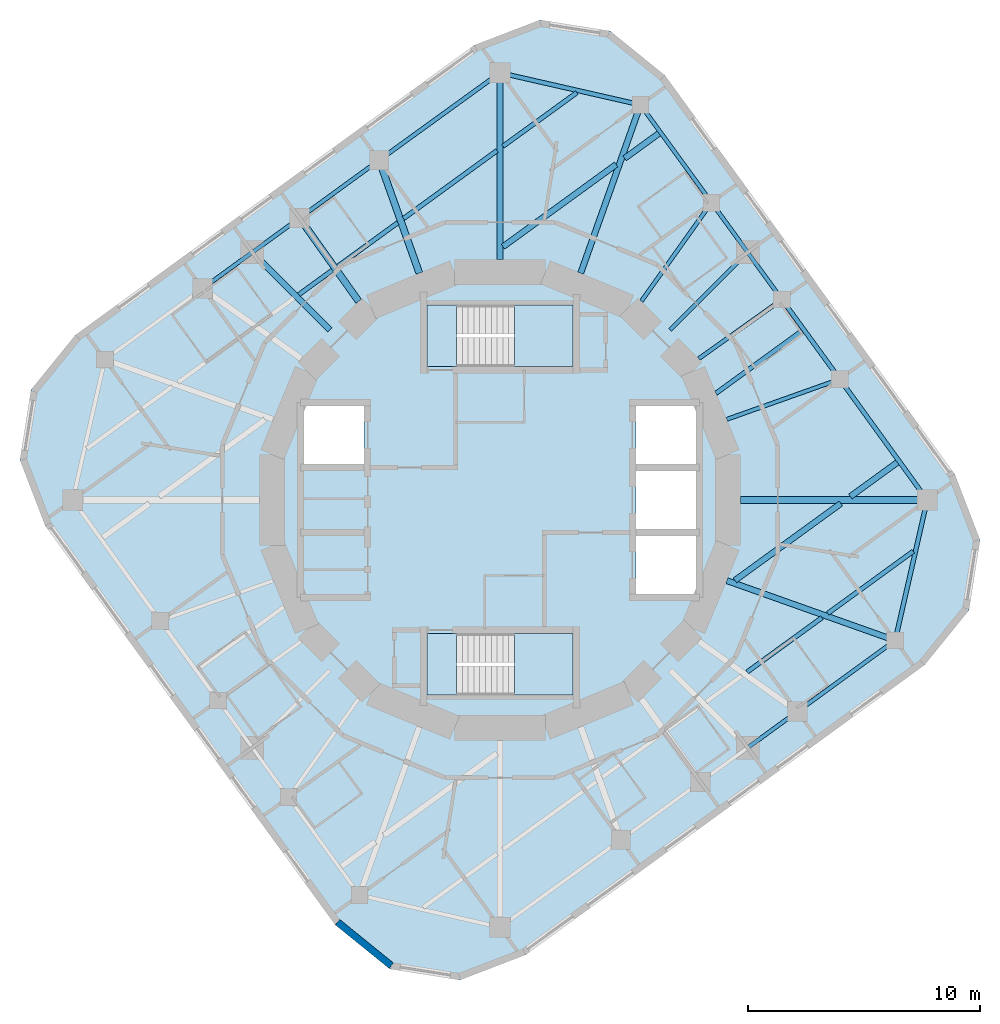
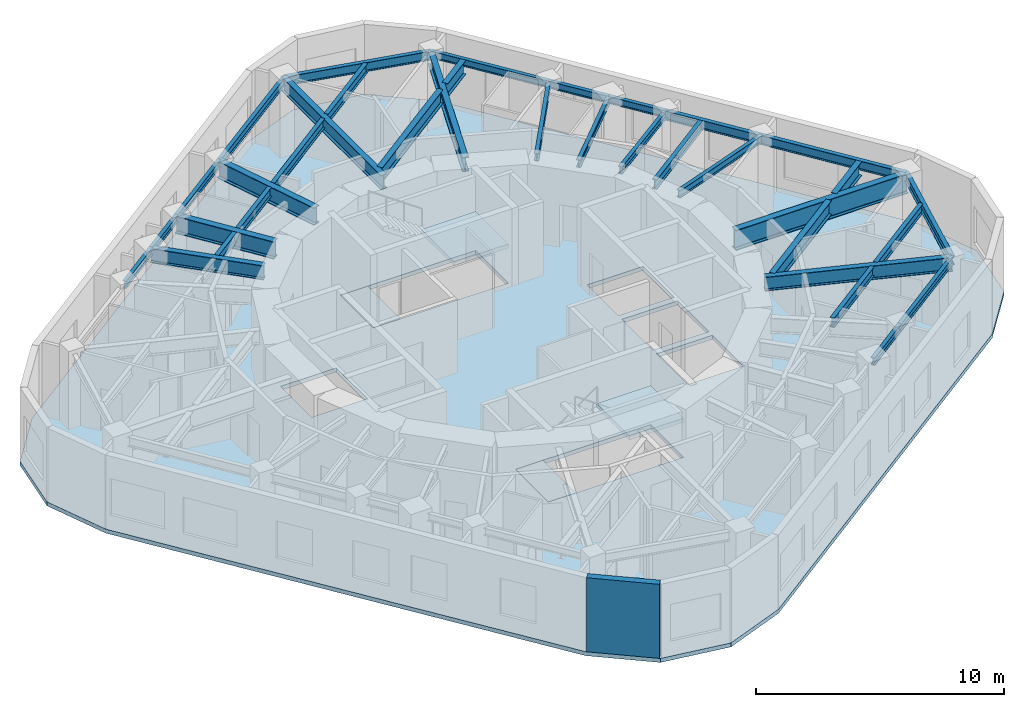
# One storey, part 2 of 9: 35 beams, 5 slabs, 1 wall, 2 elements without a shape of their own.
"""IFC4 building model written with IfcOpenShell, lengths in metres."""

from ifc_helpers import new_model, si_unit, direction, frame, frame_2d, origin, origin_2d, place, context, subcontext, project, spatial, polyline, rectangle, i_section, outline, extrude, material, layer, layer_set, material_profile, profile_set, type_object, element, aggregate, save


model = new_model("IFC4")

# Units and contexts
model_context = context("Model", 3, precision=1e-05, world=origin(), true_north=direction((0.0, 1.0)))
body_context = subcontext(model_context, "Body", "Model", "MODEL_VIEW")
ifc_project = project(units=[si_unit("LENGTHUNIT", "METRE"), si_unit("AREAUNIT", "SQUARE_METRE"), si_unit("VOLUMEUNIT", "CUBIC_METRE"), si_unit("PLANEANGLEUNIT", "RADIAN"), si_unit("MASSUNIT", "GRAM", prefix="KILO")], contexts=[model_context])

# Site, building, storey
site_placement = place(None, origin())
site = spatial("IfcSite", under=ifc_project, at=site_placement, CompositionType="ELEMENT")
building_placement = place(site_placement, origin())
building = spatial("IfcBuilding", under=site, at=building_placement, Name="Nakasero Lantern House", CompositionType="ELEMENT")
storey_placement = place(building_placement, frame((0.0, 0.0, 271.449951171875)))
storey = spatial("IfcBuildingStorey", under=building, at=storey_placement, Name="L66", CompositionType="ELEMENT", Elevation=271.449951171875)

# Beams
ifc_material_1 = material(Name="Steel S355", Category="steel")
ifc_material_profile_1 = material_profile(ifc_material_1, i_section(OverallWidth=0.19140625, OverallDepth=0.4599609375, WebThickness=0.010009765625, FlangeThickness=0.01611328125, FilletRadius=0.01025390625, at=origin_2d()), Name="UB 457x191x82")
ifc_profile_set_1 = profile_set([ifc_material_profile_1], Name="Steel S355")
beam_type_1 = type_object("IfcBeamType", Name="Infill beam UB 457x191x82", PredefinedType="JOIST", material=ifc_profile_set_1)
beam_1_placement = place(storey_placement, frame((10.646240234375, -7.406982421875, 3.420166015625), z_axis=(0.809006350712, 0.587799901759, 0.0), x_axis=(-0.587799901759, 0.809006350712, 0.0)))
element("IfcBeam", 1, at=beam_1_placement, inside=storey, type_object=beam_type_1, Name="Infill beam L67 03.6", PredefinedType="JOIST", context=body_context, shape_type="SweptSolid", body=[
    extrude(i_section(OverallWidth=0.19140625, OverallDepth=0.4599609375, WebThickness=0.010009765625, FlangeThickness=0.01611328125, FilletRadius=0.01025390625, at=origin_2d()), origin(), (0.0, 0.0, 1.0), 3.983154296875),
])
beam_2_placement = place(storey_placement, frame((14.117431640625, -4.885009765625, 3.420166015625), z_axis=(0.80901210161, 0.587791986546, 0.0), x_axis=(-0.587791986546, 0.80901210161, 0.0)))
element("IfcBeam", 2, at=beam_2_placement, inside=storey, type_object=beam_type_1, Name="Infill beam L67 03.7", PredefinedType="JOIST", context=body_context, shape_type="SweptSolid", body=[
    extrude(i_section(OverallWidth=0.19140625, OverallDepth=0.4599609375, WebThickness=0.010009765625, FlangeThickness=0.01611328125, FilletRadius=0.01025390625, at=origin_2d()), origin(), (0.0, 0.0, 1.0), 4.55029296875),
])
beam_3_placement = place(storey_placement, frame((9.306396484375, 4.598388671875, 3.420166015625), z_axis=(0.809017640959, 0.587784362344, 0.0), x_axis=(-0.587784362344, 0.809017640959, 0.0)))
element("IfcBeam", 3, at=beam_3_placement, inside=storey, type_object=beam_type_1, Name="Infill beam L67 06.1", PredefinedType="JOIST", context=body_context, shape_type="SweptSolid", body=[
    extrude(i_section(OverallWidth=0.19140625, OverallDepth=0.4599609375, WebThickness=0.010009765625, FlangeThickness=0.01611328125, FilletRadius=0.01025390625, at=origin_2d()), origin(), (0.0, 0.0, 1.0), 4.572998046875),
])
beam_4_placement = place(storey_placement, frame((-8.665283203125, 8.84619140625, 3.420166015625), z_axis=(0.809060510352, 0.587725353025, 0.0), x_axis=(-0.587725353025, 0.809060510352, 0.0)))
element("IfcBeam", 4, at=beam_4_placement, inside=storey, type_object=beam_type_1, Name="Infill beam L67 10.4", PredefinedType="JOIST", context=body_context, shape_type="SweptSolid", body=[
    extrude(i_section(OverallWidth=0.19140625, OverallDepth=0.4599609375, WebThickness=0.010009765625, FlangeThickness=0.01611328125, FilletRadius=0.01025390625, at=origin_2d()), origin(), (0.0, 0.0, 1.0), 1.7890625),
])
beam_5_placement = place(storey_placement, frame((-6.981201171875, 10.069580078125, 3.420166015625), z_axis=(0.809014147131, 0.587789171167, 0.0), x_axis=(-0.587789171167, 0.809014147131, 0.0)))
element("IfcBeam", 5, at=beam_5_placement, inside=storey, type_object=beam_type_1, Name="Infill beam L67 10.5", PredefinedType="JOIST", context=body_context, shape_type="SweptSolid", body=[
    extrude(i_section(OverallWidth=0.19140625, OverallDepth=0.4599609375, WebThickness=0.010009765625, FlangeThickness=0.01611328125, FilletRadius=0.01025390625, at=origin_2d()), origin(), (0.0, 0.0, 1.0), 3.188232421875),
])
beam_6_placement = place(storey_placement, frame((-4.1552734375, 12.122802734375, 3.420166015625), z_axis=(0.809018056479, 0.587783790428, 0.0), x_axis=(-0.587783790428, 0.809018056479, 0.0)))
element("IfcBeam", 6, at=beam_6_placement, inside=storey, type_object=beam_type_1, Name="Infill beam L67 10.6", PredefinedType="JOIST", context=body_context, shape_type="SweptSolid", body=[
    extrude(i_section(OverallWidth=0.19140625, OverallDepth=0.4599609375, WebThickness=0.010009765625, FlangeThickness=0.01611328125, FilletRadius=0.01025390625, at=origin_2d()), origin(), (0.0, 0.0, 1.0), 4.97802734375),
])
beam_7_placement = place(storey_placement, frame((0.1279296875, 15.23486328125, 3.420166015625), z_axis=(0.809028442836, 0.587769494515, 0.0), x_axis=(-0.587769494515, 0.809028442836, 0.0)))
element("IfcBeam", 7, at=beam_7_placement, inside=storey, type_object=beam_type_1, Name="Infill beam L67 10.7", PredefinedType="JOIST", context=body_context, shape_type="SweptSolid", body=[
    extrude(i_section(OverallWidth=0.19140625, OverallDepth=0.4599609375, WebThickness=0.010009765625, FlangeThickness=0.01611328125, FilletRadius=0.01025390625, at=origin_2d()), origin(), (0.0, 0.0, 1.0), 3.934814453125),
])
ifc_material_2 = material(Name="Steel S355", Category="steel")
ifc_material_profile_2 = material_profile(ifc_material_2, i_section(OverallWidth=0.255859375, OverallDepth=0.69287109375, WebThickness=0.014404296875, FlangeThickness=0.023681640625, FilletRadius=0.01513671875, at=origin_2d()), Name="UB 686x254x170")
ifc_profile_set_2 = profile_set([ifc_material_profile_2], Name="Steel S355")
beam_type_2 = type_object("IfcBeamType", Name="Infill beam UB 686x254x170", PredefinedType="JOIST", material=ifc_profile_set_2)
beam_8_placement = place(storey_placement, frame((10.119384765625, -3.46337890625, 3.3037109375), z_axis=(0.809013172462, 0.587790512669, 0.0), x_axis=(-0.587790512669, 0.809013172462, 0.0)))
element("IfcBeam", 8, at=beam_8_placement, inside=storey, type_object=beam_type_2, Name="Infill beam L67 04.3", PredefinedType="JOIST", context=body_context, shape_type="SweptSolid", body=[
    extrude(i_section(OverallWidth=0.255859375, OverallDepth=0.69287109375, WebThickness=0.014404296875, FlangeThickness=0.023681640625, FilletRadius=0.01513671875, at=origin_2d()), origin(), (0.0, 0.0, 1.0), 5.63720703125),
])
beam_9_placement = place(storey_placement, frame((15.0927734375, 0.14990234375, 3.3037109375), z_axis=(0.809015124384, 0.587787826106, 0.0), x_axis=(-0.587787826106, 0.809015124384, 0.0)))
element("IfcBeam", 9, at=beam_9_placement, inside=storey, type_object=beam_type_2, Name="Infill beam L67 04.4", PredefinedType="JOIST", context=body_context, shape_type="SweptSolid", body=[
    extrude(i_section(OverallWidth=0.255859375, OverallDepth=0.69287109375, WebThickness=0.014404296875, FlangeThickness=0.023681640625, FilletRadius=0.01513671875, at=origin_2d()), origin(), (0.0, 0.0, 1.0), 2.496337890625),
])
beam_10_placement = place(storey_placement, frame((0.1279296875, 10.908447265625, 3.3037109375), z_axis=(0.809011117524, 0.587793340998, 0.0), x_axis=(-0.587793340998, 0.809011117524, 0.0)))
element("IfcBeam", 10, at=beam_10_placement, inside=storey, type_object=beam_type_2, Name="Infill beam L67 09.3", PredefinedType="JOIST", context=body_context, shape_type="SweptSolid", body=[
    extrude(i_section(OverallWidth=0.255859375, OverallDepth=0.69287109375, WebThickness=0.014404296875, FlangeThickness=0.023681640625, FilletRadius=0.01513671875, at=origin_2d()), origin(), (0.0, 0.0, 1.0), 6.024658203125),
])
beam_11_placement = place(storey_placement, frame((5.367919921875, 14.715576171875, 3.3037109375), z_axis=(0.809025740158, 0.587773214566, 0.0), x_axis=(-0.587773214566, 0.809025740158, 0.0)))
element("IfcBeam", 11, at=beam_11_placement, inside=storey, type_object=beam_type_2, Name="Infill beam L67 09.4", PredefinedType="JOIST", context=body_context, shape_type="SweptSolid", body=[
    extrude(i_section(OverallWidth=0.255859375, OverallDepth=0.69287109375, WebThickness=0.014404296875, FlangeThickness=0.023681640625, FilletRadius=0.01513671875, at=origin_2d()), origin(), (0.0, 0.0, 1.0), 1.82177734375),
])
ifc_material_3 = material(Name="Steel S355", Category="steel")
ifc_material_profile_3 = material_profile(ifc_material_3, i_section(OverallWidth=0.300048828125, OverallDepth=0.97998046875, WebThickness=0.0166015625, FlangeThickness=0.02587890625, FilletRadius=0.030029296875, at=origin_2d()), Name="UB 1016x305x249")
ifc_profile_set_3 = profile_set([ifc_material_profile_3], Name="Steel S355")
beam_type_3 = type_object("IfcBeamType", Name="Primary beam UB 1016x305x249, span 6 to 9 m", PredefinedType="BEAM", material=ifc_profile_set_3)
beam_12_placement = place(storey_placement, frame((18.39990234375, 0.0, 3.159912109375), z_axis=(-1.0, 0.0, 0.0), x_axis=(0.0, -1.0, 0.0)))
element("IfcBeam", 12, at=beam_12_placement, inside=storey, type_object=beam_type_3, Name="Primary beam L67 B7-C03", PredefinedType="BEAM", context=body_context, shape_type="SweptSolid", body=[
    extrude(i_section(OverallWidth=0.300048828125, OverallDepth=0.97998046875, WebThickness=0.0166015625, FlangeThickness=0.02587890625, FilletRadius=0.030029296875, at=origin_2d()), origin(), (0.0, 0.0, 1.0), 8.0419921875),
])
ifc_material_4 = material(Name="Steel S355", Category="steel")
ifc_material_profile_4 = material_profile(ifc_material_4, i_section(OverallWidth=0.17138671875, OverallDepth=0.35498046875, WebThickness=0.00732421875, FlangeThickness=0.011474609375, FilletRadius=0.01025390625, at=origin_2d()), Name="UB 356x171x51")
ifc_profile_set_4 = profile_set([ifc_material_profile_4], Name="Steel S355")
beam_type_4 = type_object("IfcBeamType", Name="Primary beam UB 356x171x51, span to 6 m", PredefinedType="BEAM", material=ifc_profile_set_4)
beam_13_placement = place(storey_placement, frame((14.636474609375, 5.2041015625, 3.47265625), z_axis=(-0.942221324153, -0.3349910093, 0.0), x_axis=(0.3349910093, -0.942221324153, 0.0)))
element("IfcBeam", 13, at=beam_13_placement, inside=storey, type_object=beam_type_4, Name="Primary beam L67 B7-C04", PredefinedType="BEAM", context=body_context, shape_type="SweptSolid", body=[
    extrude(i_section(OverallWidth=0.17138671875, OverallDepth=0.35498046875, WebThickness=0.00732421875, FlangeThickness=0.011474609375, FilletRadius=0.01025390625, at=origin_2d()), origin(), (0.0, 0.0, 1.0), 5.162841796875),
])
beam_14_placement = place(storey_placement, frame((12.1435546875, 8.63525390625, 3.47265625), z_axis=(-0.814988544116, -0.579477068537, 0.0), x_axis=(0.579477068537, -0.814988544116, 0.0)))
element("IfcBeam", 14, at=beam_14_placement, inside=storey, type_object=beam_type_4, Name="Primary beam L67 B7-C05", PredefinedType="BEAM", context=body_context, shape_type="SweptSolid", body=[
    extrude(i_section(OverallWidth=0.17138671875, OverallDepth=0.35498046875, WebThickness=0.00732421875, FlangeThickness=0.011474609375, FilletRadius=0.01025390625, at=origin_2d()), origin(), (0.0, 0.0, 1.0), 4.396484375),
])
beam_15_placement = place(storey_placement, frame((10.667236328125, 10.667236328125, 3.47265625), z_axis=(-0.707106781187, -0.707106781187, 0.0), x_axis=(0.707106781187, -0.707106781187, 0.0)))
element("IfcBeam", 15, at=beam_15_placement, inside=storey, type_object=beam_type_4, Name="Primary beam L67 B7-C06", PredefinedType="BEAM", context=body_context, shape_type="SweptSolid", body=[
    extrude(i_section(OverallWidth=0.17138671875, OverallDepth=0.35498046875, WebThickness=0.00732421875, FlangeThickness=0.011474609375, FilletRadius=0.01025390625, at=origin_2d()), origin(), (0.0, 0.0, 1.0), 4.727783203125),
])
beam_16_placement = place(storey_placement, frame((9.10986328125, 12.810791015625, 3.47265625), z_axis=(-0.579500985986, -0.814971537688, 0.0), x_axis=(0.814971537688, -0.579500985986, 0.0)))
element("IfcBeam", 16, at=beam_16_placement, inside=storey, type_object=beam_type_4, Name="Primary beam L67 B7-C07", PredefinedType="BEAM", context=body_context, shape_type="SweptSolid", body=[
    extrude(i_section(OverallWidth=0.17138671875, OverallDepth=0.35498046875, WebThickness=0.00732421875, FlangeThickness=0.011474609375, FilletRadius=0.01025390625, at=origin_2d()), origin(), (0.0, 0.0, 1.0), 5.215087890625),
])
ifc_material_5 = material(Name="Steel S355", Category="steel")
ifc_material_profile_5 = material_profile(ifc_material_5, i_section(OverallWidth=0.253662109375, OverallDepth=0.68359375, WebThickness=0.012451171875, FlangeThickness=0.01904296875, FilletRadius=0.01513671875, at=origin_2d()), Name="UB 686x254x140")
ifc_profile_set_5 = profile_set([ifc_material_profile_5], Name="Steel S355")
beam_type_5 = type_object("IfcBeamType", Name="Primary beam UB 686x254x140, span 6 to 9 m", PredefinedType="BEAM", material=ifc_profile_set_5)
beam_17_placement = place(storey_placement, frame((17.02001953125, -6.051513671875, 3.308349609375), z_axis=(-0.942222036561, 0.334989005521, 0.0), x_axis=(-0.334989005521, -0.942222036561, 0.0)))
element("IfcBeam", 17, at=beam_17_placement, inside=storey, type_object=beam_type_5, Name="Primary beam L67 B7-C02", PredefinedType="BEAM", context=body_context, shape_type="SweptSolid", body=[
    extrude(i_section(OverallWidth=0.253662109375, OverallDepth=0.68359375, WebThickness=0.012451171875, FlangeThickness=0.01904296875, FilletRadius=0.01513671875, at=origin_2d()), origin(), (0.0, 0.0, 1.0), 7.6923828125),
])
ifc_material_6 = material(Name="Steel S355", Category="steel")
ifc_material_profile_6 = material_profile(ifc_material_6, i_section(OverallWidth=0.255859375, OverallDepth=0.69287109375, WebThickness=0.014404296875, FlangeThickness=0.023681640625, FilletRadius=0.01513671875, at=origin_2d()), Name="UB 686x254x170")
ifc_profile_set_6 = profile_set([ifc_material_profile_6], Name="Steel S355")
beam_type_6 = type_object("IfcBeamType", Name="Primary beam UB 686x254x170, span 6 to 9 m", PredefinedType="BEAM", material=ifc_profile_set_6)
beam_18_placement = place(storey_placement, frame((6.051513671875, 17.02001953125, 3.3037109375), z_axis=(-0.334989005521, -0.942222036561, 0.0), x_axis=(0.942222036561, -0.334989005521, 0.0)))
element("IfcBeam", 18, at=beam_18_placement, inside=storey, type_object=beam_type_6, Name="Primary beam L67 B7-C08", PredefinedType="BEAM", context=body_context, shape_type="SweptSolid", body=[
    extrude(i_section(OverallWidth=0.255859375, OverallDepth=0.69287109375, WebThickness=0.014404296875, FlangeThickness=0.023681640625, FilletRadius=0.01513671875, at=origin_2d()), origin(), (0.0, 0.0, 1.0), 7.6923828125),
])
beam_19_placement = place(storey_placement, frame((0.0, 18.39990234375, 3.3037109375), z_axis=(0.0, -1.0, 0.0), x_axis=(1.0, 0.0, 0.0)))
element("IfcBeam", 19, at=beam_19_placement, inside=storey, type_object=beam_type_6, Name="Primary beam L67 B7-C09", PredefinedType="BEAM", context=body_context, shape_type="SweptSolid", body=[
    extrude(i_section(OverallWidth=0.255859375, OverallDepth=0.69287109375, WebThickness=0.014404296875, FlangeThickness=0.023681640625, FilletRadius=0.01513671875, at=origin_2d()), origin(), (0.0, 0.0, 1.0), 8.0419921875),
])
ifc_material_7 = material(Name="Steel S355", Category="steel")
ifc_material_profile_7 = material_profile(ifc_material_7, i_section(OverallWidth=0.255859375, OverallDepth=0.69287109375, WebThickness=0.014404296875, FlangeThickness=0.023681640625, FilletRadius=0.01513671875, at=origin_2d()), Name="UB 686x254x170")
ifc_profile_set_7 = profile_set([ifc_material_profile_7], Name="Steel S355")
beam_type_7 = type_object("IfcBeamType", Name="Primary beam UB 686x254x170, span to 6 m", PredefinedType="BEAM", material=ifc_profile_set_7)
beam_20_placement = place(storey_placement, frame((-10.667236328125, 10.667236328125, 3.3037109375), z_axis=(0.707106781187, -0.707106781187, 0.0), x_axis=(0.707106781187, 0.707106781187, 0.0)))
element("IfcBeam", 20, at=beam_20_placement, inside=storey, type_object=beam_type_7, Name="Primary beam L67 B7-C12", PredefinedType="BEAM", context=body_context, shape_type="SweptSolid", body=[
    extrude(i_section(OverallWidth=0.255859375, OverallDepth=0.69287109375, WebThickness=0.014404296875, FlangeThickness=0.023681640625, FilletRadius=0.01513671875, at=origin_2d()), origin(), (0.0, 0.0, 1.0), 4.727783203125),
])
ifc_material_8 = material(Name="Steel S355", Category="steel")
ifc_material_profile_8 = material_profile(ifc_material_8, i_section(OverallWidth=0.29248046875, OverallDepth=0.8408203125, WebThickness=0.0146484375, FlangeThickness=0.02685546875, FilletRadius=0.017822265625, at=origin_2d()), Name="UB 838x292x194")
ifc_profile_set_8 = profile_set([ifc_material_profile_8], Name="Steel S355")
beam_type_8 = type_object("IfcBeamType", Name="Primary beam UB 838x292x194, span to 6 m", PredefinedType="BEAM", material=ifc_profile_set_8)
beam_21_placement = place(storey_placement, frame((-5.2041015625, 14.636474609375, 3.229736328125), z_axis=(0.3349910093, -0.942221324153, 0.0), x_axis=(0.942221324153, 0.3349910093, 0.0)))
element("IfcBeam", 21, at=beam_21_placement, inside=storey, type_object=beam_type_8, Name="Primary beam L67 B7-C10", PredefinedType="BEAM", context=body_context, shape_type="SweptSolid", body=[
    extrude(i_section(OverallWidth=0.29248046875, OverallDepth=0.8408203125, WebThickness=0.0146484375, FlangeThickness=0.02685546875, FilletRadius=0.017822265625, at=origin_2d()), origin(), (0.0, 0.0, 1.0), 5.162841796875),
])
beam_22_placement = place(storey_placement, frame((-8.63525390625, 12.1435546875, 3.229736328125), z_axis=(0.579477068537, -0.814988544116, 0.0), x_axis=(0.814988544116, 0.579477068537, 0.0)))
element("IfcBeam", 22, at=beam_22_placement, inside=storey, type_object=beam_type_8, Name="Primary beam L67 B7-C11", PredefinedType="BEAM", context=body_context, shape_type="SweptSolid", body=[
    extrude(i_section(OverallWidth=0.29248046875, OverallDepth=0.8408203125, WebThickness=0.0146484375, FlangeThickness=0.02685546875, FilletRadius=0.017822265625, at=origin_2d()), origin(), (0.0, 0.0, 1.0), 4.396484375),
])
ifc_material_9 = material(Name="Steel S355", Category="steel")
ifc_material_profile_9 = material_profile(ifc_material_9, i_section(OverallWidth=0.17138671875, OverallDepth=0.35498046875, WebThickness=0.00732421875, FlangeThickness=0.011474609375, FilletRadius=0.01025390625, at=origin_2d()), Name="UB 356x171x51")
ifc_profile_set_9 = profile_set([ifc_material_profile_9], Name="Steel S355")
beam_type_9 = type_object("IfcBeamType", Name="Ring beam UB 356x171x51", PredefinedType="BEAM", material=ifc_profile_set_9)
beam_23_placement = place(storey_placement, frame((12.810791015625, -9.10986328125, 3.47265625), z_axis=(0.809001814948, 0.587806144414, 0.0), x_axis=(-0.587806144414, 0.809001814948, 0.0)))
element("IfcBeam", 23, at=beam_23_placement, inside=storey, type_object=beam_type_9, Name="Ring beam L67 B7-C01", PredefinedType="BEAM", context=body_context, shape_type="SweptSolid", body=[
    extrude(i_section(OverallWidth=0.17138671875, OverallDepth=0.35498046875, WebThickness=0.00732421875, FlangeThickness=0.011474609375, FilletRadius=0.01025390625, at=origin_2d()), origin(), (0.0, 0.0, 1.0), 5.202880859375),
])
beam_24_placement = place(storey_placement, frame((12.1435546875, 8.63525390625, 3.47265625), z_axis=(-0.58778439593, 0.809017616558, 0.0), x_axis=(-0.809017616558, -0.58778439593, 0.0)))
element("IfcBeam", 24, at=beam_24_placement, inside=storey, type_object=beam_type_9, Name="Ring beam L67 B7-C05", PredefinedType="BEAM", context=body_context, shape_type="SweptSolid", body=[
    extrude(i_section(OverallWidth=0.17138671875, OverallDepth=0.35498046875, WebThickness=0.00732421875, FlangeThickness=0.011474609375, FilletRadius=0.01025390625, at=origin_2d()), origin(), (0.0, 0.0, 1.0), 2.51171875),
])
beam_25_placement = place(storey_placement, frame((10.667236328125, 10.667236328125, 3.47265625), z_axis=(-0.587782635143, 0.809018895839, 0.0), x_axis=(-0.809018895839, -0.587782635143, 0.0)))
element("IfcBeam", 25, at=beam_25_placement, inside=storey, type_object=beam_type_9, Name="Ring beam L67 B7-C06", PredefinedType="BEAM", context=body_context, shape_type="SweptSolid", body=[
    extrude(i_section(OverallWidth=0.17138671875, OverallDepth=0.35498046875, WebThickness=0.00732421875, FlangeThickness=0.011474609375, FilletRadius=0.01025390625, at=origin_2d()), origin(), (0.0, 0.0, 1.0), 2.649658203125),
])
beam_26_placement = place(storey_placement, frame((9.10986328125, 12.810791015625, 3.47265625), z_axis=(-0.587806144414, 0.809001814948, 0.0), x_axis=(-0.809001814948, -0.587806144414, 0.0)))
element("IfcBeam", 26, at=beam_26_placement, inside=storey, type_object=beam_type_9, Name="Ring beam L67 B7-C07", PredefinedType="BEAM", context=body_context, shape_type="SweptSolid", body=[
    extrude(i_section(OverallWidth=0.17138671875, OverallDepth=0.35498046875, WebThickness=0.00732421875, FlangeThickness=0.011474609375, FilletRadius=0.01025390625, at=origin_2d()), origin(), (0.0, 0.0, 1.0), 5.202880859375),
])
beam_27_placement = place(storey_placement, frame((-5.2041015625, 14.636474609375, 3.47265625), z_axis=(-0.809012304944, -0.587791706687, 0.0), x_axis=(0.587791706687, -0.809012304944, 0.0)))
element("IfcBeam", 27, at=beam_27_placement, inside=storey, type_object=beam_type_9, Name="Ring beam L67 B7-C10", PredefinedType="BEAM", context=body_context, shape_type="SweptSolid", body=[
    extrude(i_section(OverallWidth=0.17138671875, OverallDepth=0.35498046875, WebThickness=0.00732421875, FlangeThickness=0.011474609375, FilletRadius=0.01025390625, at=origin_2d()), origin(), (0.0, 0.0, 1.0), 4.2412109375),
])
beam_28_placement = place(storey_placement, frame((-8.63525390625, 12.1435546875, 3.47265625), z_axis=(-0.809017616558, -0.58778439593, 0.0), x_axis=(0.58778439593, -0.809017616558, 0.0)))
element("IfcBeam", 28, at=beam_28_placement, inside=storey, type_object=beam_type_9, Name="Ring beam L67 B7-C11", PredefinedType="BEAM", context=body_context, shape_type="SweptSolid", body=[
    extrude(i_section(OverallWidth=0.17138671875, OverallDepth=0.35498046875, WebThickness=0.00732421875, FlangeThickness=0.011474609375, FilletRadius=0.01025390625, at=origin_2d()), origin(), (0.0, 0.0, 1.0), 2.51171875),
])
for number, where, z_axis, x_axis, name in (
    (29, (-10.667236328125, 10.667236328125, 3.47265625), (-0.809018895839, -0.587782635143, 0.0), (0.587782635143, -0.809018895839, 0.0), "Ring beam L67 B7-C12"),
    (30, (10.667236328125, -10.667236328125, 3.47265625), (0.809018895839, 0.587782635143, 0.0), (-0.587782635143, 0.809018895839, 0.0), "Ring beam L67 B7-C24"),
):
    element("IfcBeam", number, at=place(storey_placement, frame(where, z_axis=z_axis, x_axis=x_axis)), inside=storey, type_object=beam_type_9, Name=name, PredefinedType="BEAM", context=body_context, shape_type="SweptSolid", body=[
        extrude(i_section(OverallWidth=0.17138671875, OverallDepth=0.35498046875, WebThickness=0.00732421875, FlangeThickness=0.011474609375, FilletRadius=0.01025390625, at=origin_2d()), origin(), (0.0, 0.0, 1.0), 2.649658203125),
    ])
ifc_material_10 = material(Name="Steel S355", Category="steel")
ifc_material_profile_10 = material_profile(ifc_material_10, i_section(OverallWidth=0.177978515625, OverallDepth=0.406494140625, WebThickness=0.0078125, FlangeThickness=0.0126953125, FilletRadius=0.01025390625, at=origin_2d()), Name="UB 406x178x60")
ifc_profile_set_10 = profile_set([ifc_material_profile_10], Name="Steel S355")
beam_type_10 = type_object("IfcBeamType", Name="Ring beam UB 406x178x60", PredefinedType="BEAM", material=ifc_profile_set_10)
beam_29_placement = place(storey_placement, frame((0.0, 18.39990234375, 3.44677734375), z_axis=(-0.810316200404, -0.58599287996, 0.0), x_axis=(0.58599287996, -0.810316200404, 0.0)))
element("IfcBeam", 31, at=beam_29_placement, inside=storey, type_object=beam_type_10, Name="Ring beam L67 B7-C09", PredefinedType="BEAM", context=body_context, shape_type="SweptSolid", body=[
    extrude(i_section(OverallWidth=0.177978515625, OverallDepth=0.406494140625, WebThickness=0.0078125, FlangeThickness=0.0126953125, FilletRadius=0.01025390625, at=origin_2d()), origin(), (0.0, 0.0, 1.0), 6.42236328125),
])
ifc_material_11 = material(Name="Steel S355", Category="steel")
ifc_material_profile_11 = material_profile(ifc_material_11, i_section(OverallWidth=0.18994140625, OverallDepth=0.453369140625, WebThickness=0.008544921875, FlangeThickness=0.0126953125, FilletRadius=0.01025390625, at=origin_2d()), Name="UB 457x191x67")
ifc_profile_set_11 = profile_set([ifc_material_profile_11], Name="Steel S355")
beam_type_11 = type_object("IfcBeamType", Name="Ring beam UB 457x191x67", PredefinedType="BEAM", material=ifc_profile_set_11)
beam_30_placement = place(storey_placement, frame((17.02001953125, -6.051513671875, 3.42333984375), z_axis=(0.222316387753, 0.974974575944, 0.0), x_axis=(-0.974974575944, 0.222316387753, 0.0)))
element("IfcBeam", 32, at=beam_30_placement, inside=storey, type_object=beam_type_11, Name="Ring beam L67 B7-C02", PredefinedType="BEAM", context=body_context, shape_type="SweptSolid", body=[
    extrude(i_section(OverallWidth=0.18994140625, OverallDepth=0.453369140625, WebThickness=0.008544921875, FlangeThickness=0.0126953125, FilletRadius=0.01025390625, at=origin_2d()), origin(), (0.0, 0.0, 1.0), 6.206787109375),
])
beam_31_placement = place(storey_placement, frame((14.636474609375, 5.2041015625, 3.42333984375), z_axis=(-0.587791706687, 0.809012304944, 0.0), x_axis=(-0.809012304944, -0.587791706687, 0.0)))
element("IfcBeam", 33, at=beam_31_placement, inside=storey, type_object=beam_type_11, Name="Ring beam L67 B7-C04", PredefinedType="BEAM", context=body_context, shape_type="SweptSolid", body=[
    extrude(i_section(OverallWidth=0.18994140625, OverallDepth=0.453369140625, WebThickness=0.008544921875, FlangeThickness=0.0126953125, FilletRadius=0.01025390625, at=origin_2d()), origin(), (0.0, 0.0, 1.0), 4.2412109375),
])
beam_32_placement = place(storey_placement, frame((6.051513671875, 17.02001953125, 3.42333984375), z_axis=(-0.974974575944, 0.222316387753, 0.0), x_axis=(-0.222316387753, -0.974974575944, 0.0)))
element("IfcBeam", 34, at=beam_32_placement, inside=storey, type_object=beam_type_11, Name="Ring beam L67 B7-C08", PredefinedType="BEAM", context=body_context, shape_type="SweptSolid", body=[
    extrude(i_section(OverallWidth=0.18994140625, OverallDepth=0.453369140625, WebThickness=0.008544921875, FlangeThickness=0.0126953125, FilletRadius=0.01025390625, at=origin_2d()), origin(), (0.0, 0.0, 1.0), 6.206787109375),
])
ifc_material_12 = material(Name="Steel S355", Category="steel")
ifc_material_profile_12 = material_profile(ifc_material_12, i_section(OverallWidth=0.19140625, OverallDepth=0.4599609375, WebThickness=0.010009765625, FlangeThickness=0.01611328125, FilletRadius=0.01025390625, at=origin_2d()), Name="UB 457x191x82")
ifc_profile_set_12 = profile_set([ifc_material_profile_12], Name="Steel S355")
beam_type_12 = type_object("IfcBeamType", Name="Ring beam UB 457x191x82", PredefinedType="BEAM", material=ifc_profile_set_12)
beam_33_placement = place(storey_placement, frame((18.39990234375, 0.0, 3.420166015625), z_axis=(-0.58599287996, 0.810316200404, 0.0), x_axis=(-0.810316200404, -0.58599287996, 0.0)))
element("IfcBeam", 35, at=beam_33_placement, inside=storey, type_object=beam_type_12, Name="Ring beam L67 B7-C03", PredefinedType="BEAM", context=body_context, shape_type="SweptSolid", body=[
    extrude(i_section(OverallWidth=0.19140625, OverallDepth=0.4599609375, WebThickness=0.010009765625, FlangeThickness=0.01611328125, FilletRadius=0.01025390625, at=origin_2d()), origin(), (0.0, 0.0, 1.0), 6.42236328125),
])

# Slab
ifc_material_13 = material(Name="Concrete C35/45", Category="concrete")
ifc_layer_1 = layer(ifc_material_13, 0.199951171875)
ifc_layer_set_1 = layer_set([ifc_layer_1], Name="Composite floor slab 200")
slab_type_1 = type_object("IfcSlabType", Name="Composite floor slab 200", PredefinedType="FLOOR", material=ifc_layer_set_1)
slab_1_placement = place(storey_placement, frame((0.0, 0.0, -0.199951171875)))
element("IfcSlab", 36, at=slab_1_placement, inside=storey, type_object=slab_type_1, Name="Floor slab L66", PredefinedType="FLOOR", context=body_context, shape_type="SweptSolid", body=[
    extrude(outline(polyline([(7.1181640625, 18.27392578125), (4.744873046875, 20.196044921875), (1.728271484375, 20.673828125), (-1.122802734375, 19.579345703125), (-18.27392578125, 7.1181640625), (-20.196044921875, 4.744873046875), (-20.673828125, 1.728271484375), (-19.579345703125, -1.122802734375), (-7.1181640625, -18.27392578125), (-4.744873046875, -20.196044921875), (-1.728271484375, -20.673828125), (1.122802734375, -19.579345703125), (18.27392578125, -7.1181640625), (20.196044921875, -4.744873046875), (20.673828125, -1.728271484375), (19.579345703125, 1.122802734375), (7.1181640625, 18.27392578125)]), holes=[polyline([(-8.449951171875, 1.550048828125), (-5.85009765625, 1.550048828125), (-5.85009765625, 4.050048828125), (-8.449951171875, 4.050048828125), (-8.449951171875, 1.550048828125)]), polyline([(5.85009765625, -4.050048828125), (8.449951171875, -4.050048828125), (8.449951171875, -1.550048828125), (5.85009765625, -1.550048828125), (5.85009765625, -4.050048828125)]), polyline([(5.85009765625, -1.25), (8.449951171875, -1.25), (8.449951171875, 1.25), (5.85009765625, 1.25), (5.85009765625, -1.25)]), polyline([(5.85009765625, 1.550048828125), (8.449951171875, 1.550048828125), (8.449951171875, 4.050048828125), (5.85009765625, 4.050048828125), (5.85009765625, 1.550048828125)]), polyline([(-3.14990234375, 5.75), (3.14990234375, 5.75), (3.14990234375, 8.39990234375), (-3.14990234375, 8.39990234375), (-3.14990234375, 5.75)]), polyline([(-3.14990234375, -8.39990234375), (3.14990234375, -8.39990234375), (3.14990234375, -5.75), (-3.14990234375, -5.75), (-3.14990234375, -8.39990234375)])]), origin(), (0.0, 0.0, 1.0), 0.199951171875),
])

# Stair, slabs
ifc_material_14 = material(Name="Concrete C40/50", Category="concrete")
stair_type_1 = type_object("IfcStairType", Name="Escape stair ST1 22 risers", PredefinedType="HALF_TURN_STAIR", material=ifc_material_14)
stair_1_placement = place(storey_placement, origin())
stair_1 = element("IfcStair", 37, at=stair_1_placement, inside=storey, type_object=stair_type_1, Name="Escape stair ST1 L66", PredefinedType="HALF_TURN_STAIR")
ifc_material_15 = material(Name="Concrete C40/50", Category="concrete")
ifc_layer_2 = layer(ifc_material_15, 0.199951171875)
ifc_layer_set_2 = layer_set([ifc_layer_2], Name="Stair landing 200")
slab_type_2 = type_object("IfcSlabType", Name="Stair landing 200", PredefinedType="LANDING", material=ifc_layer_set_2)
slab_2_placement = place(storey_placement, frame((0.0, 0.0, -0.199951171875)))
slab_2 = element("IfcSlab", 38, at=slab_2_placement, type_object=slab_type_2, Name="ST1 landing 1", PredefinedType="LANDING", context=body_context, shape_type="SweptSolid", body=[
    extrude(outline(polyline([(-3.14990234375, 5.75), (-1.875, 5.75), (-1.875, 8.39990234375), (-3.14990234375, 8.39990234375), (-3.14990234375, 5.75)])), origin(), (0.0, 0.0, 1.0), 0.199951171875),
])
slab_3_placement = place(storey_placement, frame((0.0, 0.0, 1.72509765625)))
slab_3 = element("IfcSlab", 39, at=slab_3_placement, type_object=slab_type_2, Name="ST1 landing 2", PredefinedType="LANDING", context=body_context, shape_type="SweptSolid", body=[
    extrude(outline(polyline([(0.625, 5.75), (3.14990234375, 5.75), (3.14990234375, 8.39990234375), (0.625, 8.39990234375), (0.625, 5.75)])), origin(), (0.0, 0.0, 1.0), 0.199951171875),
])
aggregate(stair_1, [slab_2, slab_3])

ifc_material_16 = material(Name="Concrete C40/50", Category="concrete")
stair_type_2 = type_object("IfcStairType", Name="Escape stair ST2 22 risers", PredefinedType="HALF_TURN_STAIR", material=ifc_material_16)
stair_2_placement = place(storey_placement, origin())
stair_2 = element("IfcStair", 40, at=stair_2_placement, inside=storey, type_object=stair_type_2, Name="Escape stair ST2 L66", PredefinedType="HALF_TURN_STAIR")
slab_4_placement = place(storey_placement, frame((0.0, 0.0, -0.199951171875)))
slab_4 = element("IfcSlab", 41, at=slab_4_placement, type_object=slab_type_2, Name="ST2 landing 1", PredefinedType="LANDING", context=body_context, shape_type="SweptSolid", body=[
    extrude(outline(polyline([(-3.14990234375, -8.39990234375), (-1.875, -8.39990234375), (-1.875, -5.75), (-3.14990234375, -5.75), (-3.14990234375, -8.39990234375)])), origin(), (0.0, 0.0, 1.0), 0.199951171875),
])
slab_5_placement = place(storey_placement, frame((0.0, 0.0, 1.72509765625)))
slab_5 = element("IfcSlab", 42, at=slab_5_placement, type_object=slab_type_2, Name="ST2 landing 2", PredefinedType="LANDING", context=body_context, shape_type="SweptSolid", body=[
    extrude(outline(polyline([(0.625, -8.39990234375), (3.14990234375, -8.39990234375), (3.14990234375, -5.75), (0.625, -5.75), (0.625, -8.39990234375)])), origin(), (0.0, 0.0, 1.0), 0.199951171875),
])
aggregate(stair_2, [slab_4, slab_5])

# Wall
ifc_material_17 = material(Name="Aluminium rainscreen on blockwork", Category="masonry")
ifc_layer_3 = layer(ifc_material_17, 0.300048828125)
ifc_layer_set_3 = layer_set([ifc_layer_3], Name="Facade wall 300")
wall_type = type_object("IfcWallType", Name="Facade wall 300", PredefinedType="SOLIDWALL", material=ifc_layer_set_3)
wall_placement = place(storey_placement, frame((-6.996826171875, -18.185791015625, 0.0), z_axis=(0.0, 0.0, 1.0), x_axis=(0.777101588319, -0.629375183362, 0.0)))
element("IfcWall", 43, at=wall_placement, inside=storey, type_object=wall_type, Name="Facade wall L66 FW2C1", PredefinedType="SOLIDWALL", context=body_context, shape_type="SweptSolid", body=[
    extrude(rectangle(XDim=2.976318359375, YDim=0.300048828125, at=frame_2d((1.48828125, 0.0))), origin(), (0.0, 0.0, 1.0), 3.650146484375),
])

save(model, "model.ifc")
